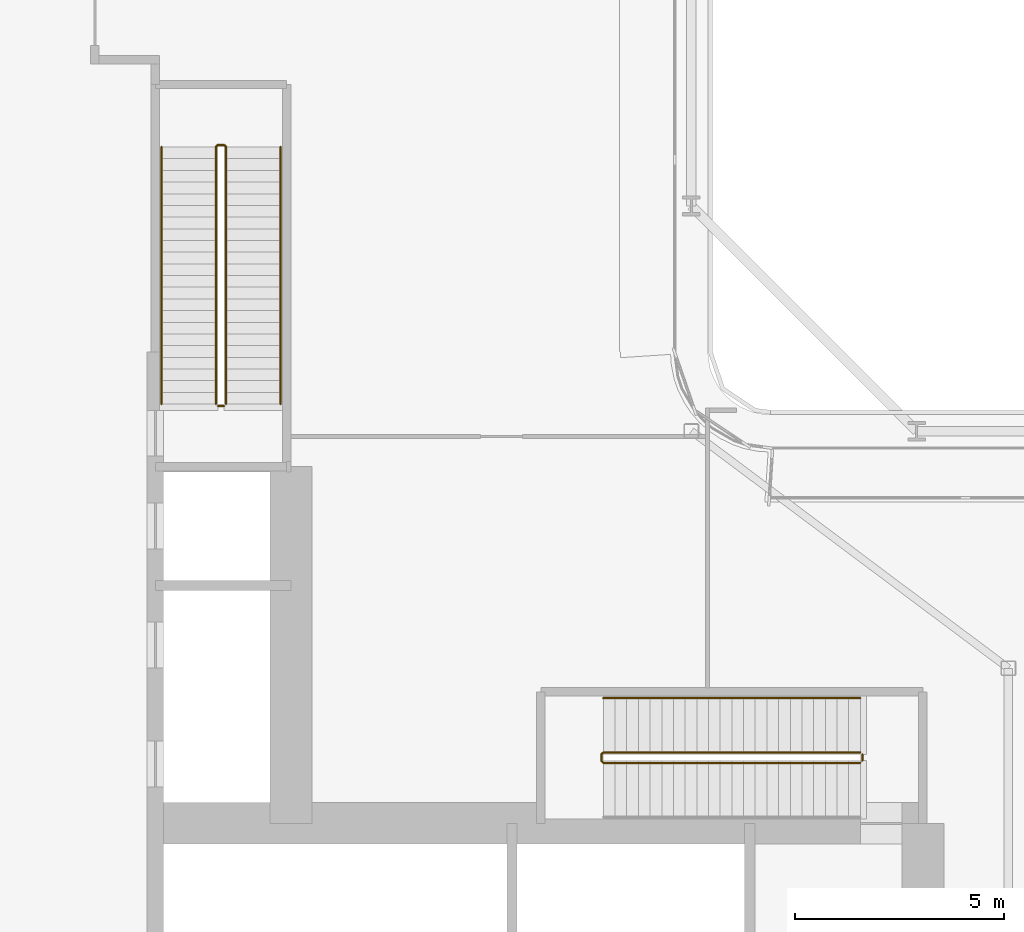
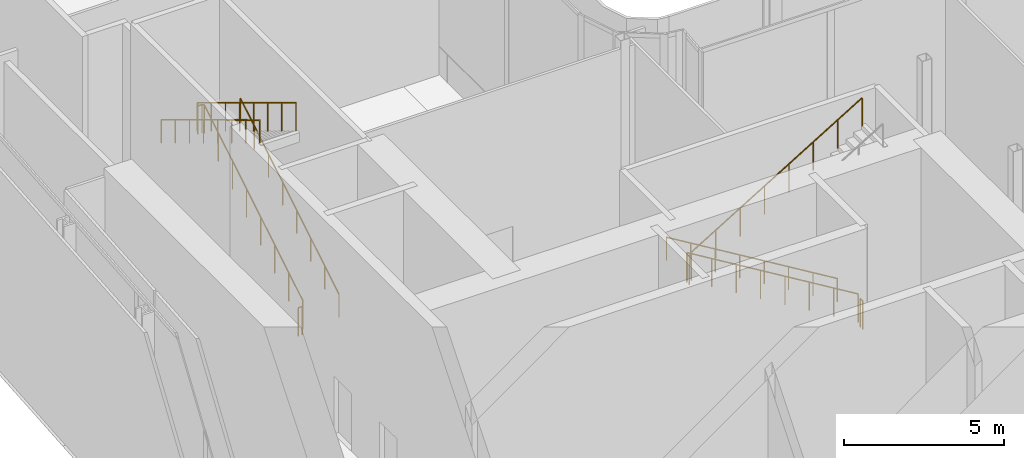
# One storey, part 31 of 36: 7 railings.
"""IFC4 building model written with IfcOpenShell, lengths in metres."""

from ifc_helpers import new_model, si_unit, direction, frame, origin, origin_2d, place, context, subcontext, project, spatial, circle, extrude, material, type_object, element, save


model = new_model("IFC4")

# Units and contexts
model_context = context("Model", 3, precision=1e-05, world=origin(), true_north=direction((0.0, 1.0)))
body_context = subcontext(model_context, "Body", "Model", "MODEL_VIEW")
ifc_project = project(units=[si_unit("LENGTHUNIT", "METRE"), si_unit("AREAUNIT", "SQUARE_METRE"), si_unit("VOLUMEUNIT", "CUBIC_METRE"), si_unit("PLANEANGLEUNIT", "RADIAN"), si_unit("MASSUNIT", "GRAM", prefix="KILO")], contexts=[model_context])

# Site, building, storey
site_placement = place(None, origin())
site = spatial("IfcSite", under=ifc_project, at=site_placement, CompositionType="ELEMENT")
building_placement = place(site_placement, origin())
building = spatial("IfcBuilding", under=site, at=building_placement, Name="Kheshtan School and Residences Tower", CompositionType="ELEMENT")
storey_placement = place(building_placement, frame((0.0, 0.0, 81.199951171875)))
storey = spatial("IfcBuildingStorey", under=building, at=storey_placement, Name="L19", CompositionType="ELEMENT", Elevation=81.199951171875)

# Railings
ifc_material_1 = material(Name="Stainless steel balustrade", Category="steel")
railing_type_1 = type_object("IfcRailingType", Name="Stair guard 1100", PredefinedType="GUARDRAIL", material=ifc_material_1)
railing_1_placement = place(storey_placement, frame((51.64990234375, 37.89990234375, 0.169677734375)))
element("IfcRailing", 1, at=railing_1_placement, inside=storey, type_object=railing_type_1, Name="L19 ST1 stair guard 1", PredefinedType="GUARDRAIL", context=body_context, shape_type="SweptSolid", body=[
    extrude(circle(Radius=0.02392578125, at=origin_2d()), frame((0.0, 0.0, 1.076171875), z_axis=(-0.855370820849, 0.0, 0.518016176234), x_axis=(0.0, -1.0, 0.0)), (0.0, 0.0, 1.0), 7.201416015625),
    extrude(circle(Radius=0.02392578125, at=origin_2d()), frame((-6.159912109375, 0.0, 4.806640625), z_axis=(-0.708833529934, -0.705375805398, 0.0), x_axis=(0.705375805398, -0.708833529934, 0.0)), (0.0, 0.0, 1.0), 0.070556640625),
    extrude(circle(Radius=0.02392578125, at=origin_2d()), frame((-6.2099609375, -0.0498046875, 4.806640625), z_axis=(0.0, -1.0, 0.0), x_axis=(1.0, 0.0, 0.0)), (0.0, 0.0, 1.0), 0.150146484375),
    extrude(circle(Radius=0.02392578125, at=origin_2d()), frame((-6.2099609375, -0.199951171875, 4.806640625), z_axis=(0.272562526181, -0.272562526181, 0.92272386912), x_axis=(0.707106781187, 0.707106781187, 0.0)), (0.0, 0.0, 1.0), 0.18359375),
    extrude(circle(Radius=0.02392578125, at=origin_2d()), frame((-6.159912109375, -0.25, 4.97607421875), z_axis=(0.855370820849, 0.0, 0.518016176234), x_axis=(0.0, 1.0, 0.0)), (0.0, 0.0, 1.0), 7.201416015625),
    extrude(circle(Radius=0.02099609375, at=origin_2d()), origin(), (0.0, 0.0, 1.0), 1.052001953125),
    extrude(circle(Radius=0.02099609375, at=origin_2d()), frame((-0.8798828125, 0.0, 0.532958984375)), (0.0, 0.0, 1.0), 1.052001953125),
    extrude(circle(Radius=0.02099609375, at=origin_2d()), frame((-1.760009765625, 0.0, 1.06591796875)), (0.0, 0.0, 1.0), 1.052001953125),
    extrude(circle(Radius=0.02099609375, at=origin_2d()), frame((-2.639892578125, 0.0, 1.598876953125)), (0.0, 0.0, 1.0), 1.052001953125),
    extrude(circle(Radius=0.02099609375, at=origin_2d()), frame((-3.52001953125, 0.0, 2.131591796875)), (0.0, 0.0, 1.0), 1.052001953125),
    extrude(circle(Radius=0.02099609375, at=origin_2d()), frame((-4.39990234375, 0.0, 2.66455078125)), (0.0, 0.0, 1.0), 1.052001953125),
    extrude(circle(Radius=0.02099609375, at=origin_2d()), frame((-5.280029296875, 0.0, 3.197509765625)), (0.0, 0.0, 1.0), 1.052001953125),
    extrude(circle(Radius=0.02099609375, at=origin_2d()), frame((-6.159912109375, 0.0, 3.73046875)), (0.0, 0.0, 1.0), 1.052001953125),
    extrude(circle(Radius=0.02099609375, at=origin_2d()), frame((-6.2099609375, -0.0498046875, 3.73046875)), (0.0, 0.0, 1.0), 1.052001953125),
    extrude(circle(Radius=0.02099609375, at=origin_2d()), frame((-6.2099609375, -0.199951171875, 3.73046875)), (0.0, 0.0, 1.0), 1.052001953125),
    extrude(circle(Radius=0.02099609375, at=origin_2d()), frame((-6.159912109375, -0.25, 3.89990234375)), (0.0, 0.0, 1.0), 1.052001953125),
    extrude(circle(Radius=0.02099609375, at=origin_2d()), frame((-5.280029296875, -0.25, 4.432861328125)), (0.0, 0.0, 1.0), 1.052001953125),
    extrude(circle(Radius=0.02099609375, at=origin_2d()), frame((-4.39990234375, -0.25, 4.9658203125)), (0.0, 0.0, 1.0), 1.052001953125),
    extrude(circle(Radius=0.02099609375, at=origin_2d()), frame((-3.52001953125, -0.25, 5.498779296875)), (0.0, 0.0, 1.0), 1.052001953125),
    extrude(circle(Radius=0.02099609375, at=origin_2d()), frame((-2.639892578125, -0.25, 6.031494140625)), (0.0, 0.0, 1.0), 1.052001953125),
    extrude(circle(Radius=0.02099609375, at=origin_2d()), frame((-1.760009765625, -0.25, 6.564453125)), (0.0, 0.0, 1.0), 1.052001953125),
    extrude(circle(Radius=0.02099609375, at=origin_2d()), frame((-0.8798828125, -0.25, 7.097412109375)), (0.0, 0.0, 1.0), 1.052001953125),
    extrude(circle(Radius=0.02099609375, at=origin_2d()), frame((0.0, -0.25, 7.63037109375)), (0.0, 0.0, 1.0), 1.052001953125),
])
railing_2_placement = place(storey_placement, frame((51.699951171875, 37.85009765625, 0.0)))
element("IfcRailing", 2, at=railing_2_placement, inside=storey, type_object=railing_type_1, Name="L19 ST1 stair guard 2", PredefinedType="GUARDRAIL", context=body_context, shape_type="SweptSolid", body=[
    extrude(circle(Radius=0.02392578125, at=origin_2d()), frame((0.0, 0.0, 1.076171875), z_axis=(0.0, -1.0, 0.0), x_axis=(1.0, 0.0, 0.0)), (0.0, 0.0, 1.0), 0.150146484375),
    extrude(circle(Radius=0.02099609375, at=origin_2d()), origin(), (0.0, 0.0, 1.0), 1.052001953125),
    extrude(circle(Radius=0.02099609375, at=origin_2d()), frame((0.0, -0.150146484375, 0.0)), (0.0, 0.0, 1.0), 1.052001953125),
])
railing_3_placement = place(storey_placement, frame((36.449951171875, 46.25, 0.169677734375)))
element("IfcRailing", 3, at=railing_3_placement, inside=storey, type_object=railing_type_1, Name="L19 ST2 stair guard 1", PredefinedType="GUARDRAIL", context=body_context, shape_type="SweptSolid", body=[
    extrude(circle(Radius=0.02392578125, at=origin_2d()), frame((0.0, 0.0, 1.076171875), z_axis=(0.0, 0.855370820849, 0.518016176234), x_axis=(-1.0, 0.0, 0.0)), (0.0, 0.0, 1.0), 7.201416015625),
    extrude(circle(Radius=0.02392578125, at=origin_2d()), frame((0.0, 6.159912109375, 4.806640625), z_axis=(-0.707106781187, 0.707106781187, 0.0), x_axis=(-0.707106781187, -0.707106781187, 0.0)), (0.0, 0.0, 1.0), 0.07080078125),
    extrude(circle(Radius=0.02392578125, at=origin_2d()), frame((-0.050048828125, 6.2099609375, 4.806640625), z_axis=(-1.0, 0.0, 0.0), x_axis=(0.0, -1.0, 0.0)), (0.0, 0.0, 1.0), 0.14990234375),
    extrude(circle(Radius=0.02392578125, at=origin_2d()), frame((-0.199951171875, 6.2099609375, 4.806640625), z_axis=(-0.272562526181, -0.272562526181, 0.92272386912), x_axis=(0.707106781187, -0.707106781187, 0.0)), (0.0, 0.0, 1.0), 0.18359375),
    extrude(circle(Radius=0.02392578125, at=origin_2d()), frame((-0.25, 6.159912109375, 4.97607421875), z_axis=(0.0, -0.855370820849, 0.518016176234), x_axis=(1.0, 0.0, 0.0)), (0.0, 0.0, 1.0), 7.201416015625),
    extrude(circle(Radius=0.02099609375, at=origin_2d()), origin(), (0.0, 0.0, 1.0), 1.052001953125),
    extrude(circle(Radius=0.02099609375, at=origin_2d()), frame((0.0, 0.8798828125, 0.532958984375)), (0.0, 0.0, 1.0), 1.052001953125),
    extrude(circle(Radius=0.02099609375, at=origin_2d()), frame((0.0, 1.760009765625, 1.06591796875)), (0.0, 0.0, 1.0), 1.052001953125),
    extrude(circle(Radius=0.02099609375, at=origin_2d()), frame((0.0, 2.639892578125, 1.598876953125)), (0.0, 0.0, 1.0), 1.052001953125),
    extrude(circle(Radius=0.02099609375, at=origin_2d()), frame((0.0, 3.52001953125, 2.131591796875)), (0.0, 0.0, 1.0), 1.052001953125),
    extrude(circle(Radius=0.02099609375, at=origin_2d()), frame((0.0, 4.39990234375, 2.66455078125)), (0.0, 0.0, 1.0), 1.052001953125),
    extrude(circle(Radius=0.02099609375, at=origin_2d()), frame((0.0, 5.280029296875, 3.197509765625)), (0.0, 0.0, 1.0), 1.052001953125),
    extrude(circle(Radius=0.02099609375, at=origin_2d()), frame((0.0, 6.159912109375, 3.73046875)), (0.0, 0.0, 1.0), 1.052001953125),
    extrude(circle(Radius=0.02099609375, at=origin_2d()), frame((-0.050048828125, 6.2099609375, 3.73046875)), (0.0, 0.0, 1.0), 1.052001953125),
    extrude(circle(Radius=0.02099609375, at=origin_2d()), frame((-0.199951171875, 6.2099609375, 3.73046875)), (0.0, 0.0, 1.0), 1.052001953125),
    extrude(circle(Radius=0.02099609375, at=origin_2d()), frame((-0.25, 6.159912109375, 3.89990234375)), (0.0, 0.0, 1.0), 1.052001953125),
    extrude(circle(Radius=0.02099609375, at=origin_2d()), frame((-0.25, 5.280029296875, 4.432861328125)), (0.0, 0.0, 1.0), 1.052001953125),
    extrude(circle(Radius=0.02099609375, at=origin_2d()), frame((-0.25, 4.39990234375, 4.9658203125)), (0.0, 0.0, 1.0), 1.052001953125),
    extrude(circle(Radius=0.02099609375, at=origin_2d()), frame((-0.25, 3.52001953125, 5.498779296875)), (0.0, 0.0, 1.0), 1.052001953125),
    extrude(circle(Radius=0.02099609375, at=origin_2d()), frame((-0.25, 2.639892578125, 6.031494140625)), (0.0, 0.0, 1.0), 1.052001953125),
    extrude(circle(Radius=0.02099609375, at=origin_2d()), frame((-0.25, 1.760009765625, 6.564453125)), (0.0, 0.0, 1.0), 1.052001953125),
    extrude(circle(Radius=0.02099609375, at=origin_2d()), frame((-0.25, 0.8798828125, 7.097412109375)), (0.0, 0.0, 1.0), 1.052001953125),
    extrude(circle(Radius=0.02099609375, at=origin_2d()), frame((-0.25, 0.0, 7.63037109375)), (0.0, 0.0, 1.0), 1.052001953125),
])
railing_4_placement = place(storey_placement, frame((36.39990234375, 46.199951171875, 0.0)))
element("IfcRailing", 4, at=railing_4_placement, inside=storey, type_object=railing_type_1, Name="L19 ST2 stair guard 2", PredefinedType="GUARDRAIL", context=body_context, shape_type="SweptSolid", body=[
    extrude(circle(Radius=0.02392578125, at=origin_2d()), frame((0.0, 0.0, 1.076171875), z_axis=(-1.0, 0.0, 0.0), x_axis=(0.0, -1.0, 0.0)), (0.0, 0.0, 1.0), 0.14990234375),
    extrude(circle(Radius=0.02099609375, at=origin_2d()), origin(), (0.0, 0.0, 1.0), 1.052001953125),
    extrude(circle(Radius=0.02099609375, at=origin_2d()), frame((-0.14990234375, 0.0, 0.0)), (0.0, 0.0, 1.0), 1.052001953125),
])
ifc_material_2 = material(Name="Stainless steel handrail", Category="steel")
railing_type_2 = type_object("IfcRailingType", Name="Stair handrail 900", PredefinedType="HANDRAIL", material=ifc_material_2)
railing_5_placement = place(storey_placement, frame((51.64990234375, 39.199951171875, 0.169677734375)))
element("IfcRailing", 5, at=railing_5_placement, inside=storey, type_object=railing_type_2, Name="L19 ST1 stair handrail 1", PredefinedType="HANDRAIL", context=body_context, shape_type="SweptSolid", body=[
    extrude(circle(Radius=0.02392578125, at=origin_2d()), frame((0.0, 0.0, 0.8759765625), z_axis=(-0.855370820849, 0.0, 0.518016176234), x_axis=(0.0, -1.0, 0.0)), (0.0, 0.0, 1.0), 7.201416015625),
    extrude(circle(Radius=0.02099609375, at=origin_2d()), origin(), (0.0, 0.0, 1.0), 0.851806640625),
    extrude(circle(Radius=0.02099609375, at=origin_2d()), frame((-0.8798828125, 0.0, 0.532958984375)), (0.0, 0.0, 1.0), 0.851806640625),
    extrude(circle(Radius=0.02099609375, at=origin_2d()), frame((-1.760009765625, 0.0, 1.06591796875)), (0.0, 0.0, 1.0), 0.851806640625),
    extrude(circle(Radius=0.02099609375, at=origin_2d()), frame((-2.639892578125, 0.0, 1.598876953125)), (0.0, 0.0, 1.0), 0.851806640625),
    extrude(circle(Radius=0.02099609375, at=origin_2d()), frame((-3.52001953125, 0.0, 2.131591796875)), (0.0, 0.0, 1.0), 0.851806640625),
    extrude(circle(Radius=0.02099609375, at=origin_2d()), frame((-4.39990234375, 0.0, 2.66455078125)), (0.0, 0.0, 1.0), 0.851806640625),
    extrude(circle(Radius=0.02099609375, at=origin_2d()), frame((-5.280029296875, 0.0, 3.197509765625)), (0.0, 0.0, 1.0), 0.851806640625),
    extrude(circle(Radius=0.02099609375, at=origin_2d()), frame((-6.159912109375, 0.0, 3.73046875)), (0.0, 0.0, 1.0), 0.851806640625),
])
railing_6_placement = place(storey_placement, frame((37.75, 46.25, 0.169677734375)))
element("IfcRailing", 6, at=railing_6_placement, inside=storey, type_object=railing_type_2, Name="L19 ST2 stair handrail 1", PredefinedType="HANDRAIL", context=body_context, shape_type="SweptSolid", body=[
    extrude(circle(Radius=0.02392578125, at=origin_2d()), frame((0.0, 0.0, 0.8759765625), z_axis=(0.0, 0.855370820849, 0.518016176234), x_axis=(-1.0, 0.0, 0.0)), (0.0, 0.0, 1.0), 7.201416015625),
    extrude(circle(Radius=0.02099609375, at=origin_2d()), origin(), (0.0, 0.0, 1.0), 0.851806640625),
    extrude(circle(Radius=0.02099609375, at=origin_2d()), frame((0.0, 0.8798828125, 0.532958984375)), (0.0, 0.0, 1.0), 0.851806640625),
    extrude(circle(Radius=0.02099609375, at=origin_2d()), frame((0.0, 1.760009765625, 1.06591796875)), (0.0, 0.0, 1.0), 0.851806640625),
    extrude(circle(Radius=0.02099609375, at=origin_2d()), frame((0.0, 2.639892578125, 1.598876953125)), (0.0, 0.0, 1.0), 0.851806640625),
    extrude(circle(Radius=0.02099609375, at=origin_2d()), frame((0.0, 3.52001953125, 2.131591796875)), (0.0, 0.0, 1.0), 0.851806640625),
    extrude(circle(Radius=0.02099609375, at=origin_2d()), frame((0.0, 4.39990234375, 2.66455078125)), (0.0, 0.0, 1.0), 0.851806640625),
    extrude(circle(Radius=0.02099609375, at=origin_2d()), frame((0.0, 5.280029296875, 3.197509765625)), (0.0, 0.0, 1.0), 0.851806640625),
    extrude(circle(Radius=0.02099609375, at=origin_2d()), frame((0.0, 6.159912109375, 3.73046875)), (0.0, 0.0, 1.0), 0.851806640625),
])
railing_7_placement = place(storey_placement, frame((34.89990234375, 52.409912109375, 4.069580078125)))
element("IfcRailing", 7, at=railing_7_placement, inside=storey, type_object=railing_type_2, Name="L19 ST2 stair handrail 2", PredefinedType="HANDRAIL", context=body_context, shape_type="SweptSolid", body=[
    extrude(circle(Radius=0.02392578125, at=origin_2d()), frame((0.0, 0.0, 0.8759765625), z_axis=(0.0, -0.855370820849, 0.518016176234), x_axis=(1.0, 0.0, 0.0)), (0.0, 0.0, 1.0), 7.201416015625),
    extrude(circle(Radius=0.02099609375, at=origin_2d()), origin(), (0.0, 0.0, 1.0), 0.851806640625),
    extrude(circle(Radius=0.02099609375, at=origin_2d()), frame((0.0, -0.8798828125, 0.532958984375)), (0.0, 0.0, 1.0), 0.851806640625),
    extrude(circle(Radius=0.02099609375, at=origin_2d()), frame((0.0, -1.760009765625, 1.06591796875)), (0.0, 0.0, 1.0), 0.851806640625),
    extrude(circle(Radius=0.02099609375, at=origin_2d()), frame((0.0, -2.639892578125, 1.598876953125)), (0.0, 0.0, 1.0), 0.851806640625),
    extrude(circle(Radius=0.02099609375, at=origin_2d()), frame((0.0, -3.52001953125, 2.131591796875)), (0.0, 0.0, 1.0), 0.851806640625),
    extrude(circle(Radius=0.02099609375, at=origin_2d()), frame((0.0, -4.39990234375, 2.66455078125)), (0.0, 0.0, 1.0), 0.851806640625),
    extrude(circle(Radius=0.02099609375, at=origin_2d()), frame((0.0, -5.280029296875, 3.197509765625)), (0.0, 0.0, 1.0), 0.851806640625),
    extrude(circle(Radius=0.02099609375, at=origin_2d()), frame((0.0, -6.159912109375, 3.73046875)), (0.0, 0.0, 1.0), 0.851806640625),
])

save(model, "model.ifc")
